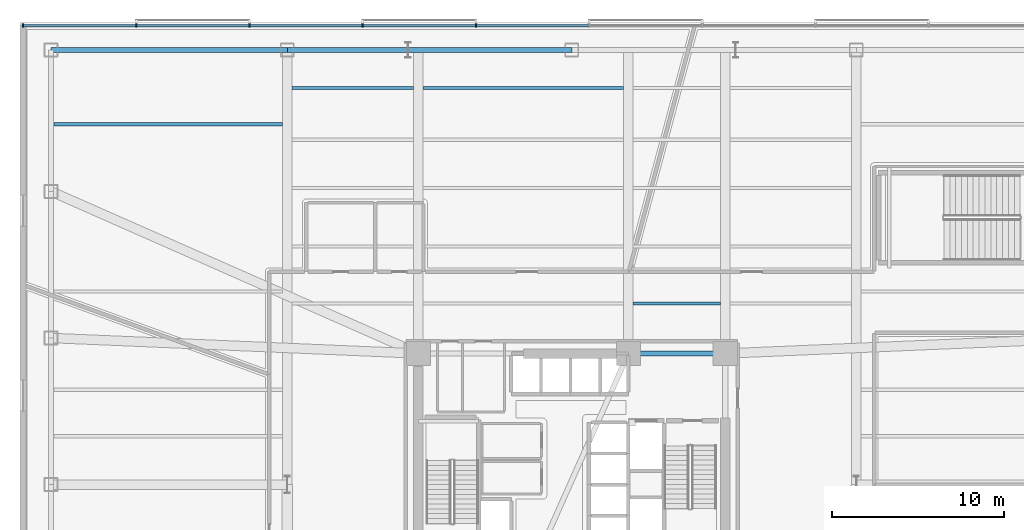
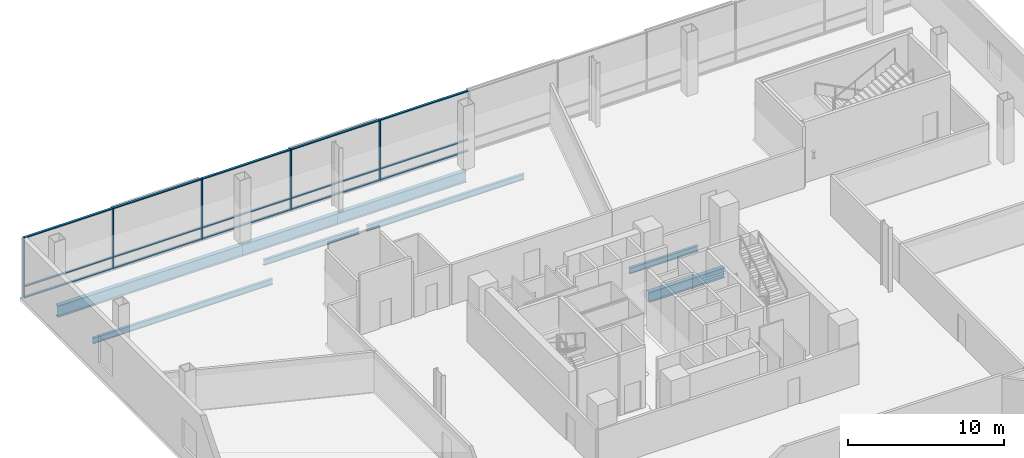
# One storey, part 6 of 24: 20 members, 8 beams, 1 element without a shape of its own.
"""IFC4 building model written with IfcOpenShell, lengths in metres."""

from ifc_helpers import new_model, si_unit, direction, frame, origin, origin_2d, place, context, subcontext, project, spatial, rectangle, i_section, extrude, material, layer, layer_set, material_profile, profile_set, type_object, element, aggregate, save


model = new_model("IFC4")

# Units and contexts
model_context = context("Model", 3, precision=1e-05, world=origin(), true_north=direction((0.0, 1.0)))
body_context = subcontext(model_context, "Body", "Model", "MODEL_VIEW")
ifc_project = project(units=[si_unit("LENGTHUNIT", "METRE"), si_unit("AREAUNIT", "SQUARE_METRE"), si_unit("VOLUMEUNIT", "CUBIC_METRE"), si_unit("PLANEANGLEUNIT", "RADIAN"), si_unit("MASSUNIT", "GRAM", prefix="KILO")], contexts=[model_context])

# Site, building, storey
site_placement = place(None, origin())
site = spatial("IfcSite", under=ifc_project, at=site_placement, CompositionType="ELEMENT")
building_placement = place(site_placement, origin())
building = spatial("IfcBuilding", under=site, at=building_placement, Name="Tharavind Bronze Gate", CompositionType="ELEMENT")
storey_placement = place(building_placement, frame((0.0, 0.0, 21.5)))
storey = spatial("IfcBuildingStorey", under=building, at=storey_placement, Name="L04", CompositionType="ELEMENT", Elevation=21.5)

# Curtain wall, members
ifc_material_1 = material(Name="Anodised Bronze Aluminium", Category="aluminium")
ifc_layer = layer(ifc_material_1, 0.219970703125)
ifc_layer_set = layer_set([ifc_layer], Name="Anodised Bronze Aluminium")
curtain_wall_type = type_object("IfcCurtainWallType", Name="UNITISED CURTAIN WALL PODIUM", PredefinedType="USERDEFINED", material=ifc_layer_set)
curtain_wall_placement = place(storey_placement, origin())
curtain_wall = element("IfcCurtainWall", 1, at=curtain_wall_placement, inside=storey, type_object=curtain_wall_type, Name="L04 unitised curtain wall podium CW-L04-S2", ObjectType="UNITISED CURTAIN WALL", PredefinedType="USERDEFINED")
member_type_1 = type_object("IfcMemberType", Name="CURTAIN WALL MULLION 80X220", PredefinedType="MULLION", material=ifc_material_1)
member_1_placement = place(storey_placement, frame((-5.56396484375, 26.6201171875, 0.0), z_axis=(0.0, 0.0, 1.0), x_axis=(-1.0, 0.0, 0.0)))
member_1 = element("IfcMember", 2, at=member_1_placement, type_object=member_type_1, Name="CW-L04-S2 mullion 7", PredefinedType="MULLION", context=body_context, shape_type="SweptSolid", body=[
    extrude(rectangle(XDim=0.080078125, YDim=0.219970703125, at=origin_2d()), origin(), (0.0, 0.0, 1.0), 4.739990234375),
])
member_2_placement = place(storey_placement, frame((-12.1279296875, 26.6201171875, 0.0), z_axis=(0.0, 0.0, 1.0), x_axis=(-1.0, 0.0, 0.0)))
member_2 = element("IfcMember", 3, at=member_2_placement, type_object=member_type_1, Name="CW-L04-S2 mullion 8", PredefinedType="MULLION", context=body_context, shape_type="SweptSolid", body=[
    extrude(rectangle(XDim=0.080078125, YDim=0.219970703125, at=origin_2d()), origin(), (0.0, 0.0, 1.0), 4.739990234375),
])
member_3_placement = place(storey_placement, frame((-18.69189453125, 26.6201171875, 0.0), z_axis=(0.0, 0.0, 1.0), x_axis=(-1.0, 0.0, 0.0)))
member_3 = element("IfcMember", 4, at=member_3_placement, type_object=member_type_1, Name="CW-L04-S2 mullion 9", PredefinedType="MULLION", context=body_context, shape_type="SweptSolid", body=[
    extrude(rectangle(XDim=0.080078125, YDim=0.219970703125, at=origin_2d()), origin(), (0.0, 0.0, 1.0), 4.739990234375),
])
member_4_placement = place(storey_placement, frame((-25.256103515625, 26.6201171875, 0.0), z_axis=(0.0, 0.0, 1.0), x_axis=(-1.0, 0.0, 0.0)))
member_4 = element("IfcMember", 5, at=member_4_placement, type_object=member_type_1, Name="CW-L04-S2 mullion 10", PredefinedType="MULLION", context=body_context, shape_type="SweptSolid", body=[
    extrude(rectangle(XDim=0.080078125, YDim=0.219970703125, at=origin_2d()), origin(), (0.0, 0.0, 1.0), 4.739990234375),
])
member_5_placement = place(storey_placement, frame((-31.820068359375, 26.6201171875, 0.0), z_axis=(0.0, 0.0, 1.0), x_axis=(-1.0, 0.0, 0.0)))
member_5 = element("IfcMember", 6, at=member_5_placement, type_object=member_type_1, Name="CW-L04-S2 mullion 11", PredefinedType="MULLION", context=body_context, shape_type="SweptSolid", body=[
    extrude(rectangle(XDim=0.080078125, YDim=0.219970703125, at=origin_2d()), origin(), (0.0, 0.0, 1.0), 4.739990234375),
])
member_type_2 = type_object("IfcMemberType", Name="CURTAIN WALL TRANSOM 80X160", PredefinedType="USERDEFINED", material=ifc_material_1)
member_6_placement = place(storey_placement, frame((-2.281982421875, 26.6201171875, 0.0), z_axis=(0.0, 0.0, 1.0), x_axis=(-1.0, 0.0, 0.0)))
member_6 = element("IfcMember", 7, at=member_6_placement, type_object=member_type_2, Name="CW-L04-S2 transom TB6", ObjectType="TRANSOM", PredefinedType="USERDEFINED", context=body_context, shape_type="SweptSolid", body=[
    extrude(rectangle(XDim=6.49609375, YDim=0.159912109375, at=origin_2d()), origin(), (0.0, 0.0, 1.0), 0.080078125),
])
member_7_placement = place(storey_placement, frame((-2.281982421875, 26.6201171875, 0.85986328125), z_axis=(0.0, 0.0, 1.0), x_axis=(-1.0, 0.0, 0.0)))
member_7 = element("IfcMember", 8, at=member_7_placement, type_object=member_type_2, Name="CW-L04-S2 transom TS6", ObjectType="TRANSOM", PredefinedType="USERDEFINED", context=body_context, shape_type="SweptSolid", body=[
    extrude(rectangle(XDim=6.49609375, YDim=0.159912109375, at=origin_2d()), origin(), (0.0, 0.0, 1.0), 0.080078125),
])
member_8_placement = place(storey_placement, frame((-2.281982421875, 26.6201171875, 4.659912109375), z_axis=(0.0, 0.0, 1.0), x_axis=(-1.0, 0.0, 0.0)))
member_8 = element("IfcMember", 9, at=member_8_placement, type_object=member_type_2, Name="CW-L04-S2 transom TT6", ObjectType="TRANSOM", PredefinedType="USERDEFINED", context=body_context, shape_type="SweptSolid", body=[
    extrude(rectangle(XDim=6.49609375, YDim=0.159912109375, at=origin_2d()), origin(), (0.0, 0.0, 1.0), 0.080078125),
])
member_9_placement = place(storey_placement, frame((-8.845947265625, 26.6201171875, 0.0), z_axis=(0.0, 0.0, 1.0), x_axis=(-1.0, 0.0, 0.0)))
member_9 = element("IfcMember", 10, at=member_9_placement, type_object=member_type_2, Name="CW-L04-S2 transom TB7", ObjectType="TRANSOM", PredefinedType="USERDEFINED", context=body_context, shape_type="SweptSolid", body=[
    extrude(rectangle(XDim=6.49609375, YDim=0.159912109375, at=origin_2d()), origin(), (0.0, 0.0, 1.0), 0.080078125),
])
member_10_placement = place(storey_placement, frame((-8.845947265625, 26.6201171875, 0.85986328125), z_axis=(0.0, 0.0, 1.0), x_axis=(-1.0, 0.0, 0.0)))
member_10 = element("IfcMember", 11, at=member_10_placement, type_object=member_type_2, Name="CW-L04-S2 transom TS7", ObjectType="TRANSOM", PredefinedType="USERDEFINED", context=body_context, shape_type="SweptSolid", body=[
    extrude(rectangle(XDim=6.49609375, YDim=0.159912109375, at=origin_2d()), origin(), (0.0, 0.0, 1.0), 0.080078125),
])
member_11_placement = place(storey_placement, frame((-8.845947265625, 26.6201171875, 4.659912109375), z_axis=(0.0, 0.0, 1.0), x_axis=(-1.0, 0.0, 0.0)))
member_11 = element("IfcMember", 12, at=member_11_placement, type_object=member_type_2, Name="CW-L04-S2 transom TT7", ObjectType="TRANSOM", PredefinedType="USERDEFINED", context=body_context, shape_type="SweptSolid", body=[
    extrude(rectangle(XDim=6.49609375, YDim=0.159912109375, at=origin_2d()), origin(), (0.0, 0.0, 1.0), 0.080078125),
])
member_12_placement = place(storey_placement, frame((-15.409912109375, 26.6201171875, 0.0), z_axis=(0.0, 0.0, 1.0), x_axis=(-1.0, 0.0, 0.0)))
member_12 = element("IfcMember", 13, at=member_12_placement, type_object=member_type_2, Name="CW-L04-S2 transom TB8", ObjectType="TRANSOM", PredefinedType="USERDEFINED", context=body_context, shape_type="SweptSolid", body=[
    extrude(rectangle(XDim=6.49609375, YDim=0.159912109375, at=origin_2d()), origin(), (0.0, 0.0, 1.0), 0.080078125),
])
member_13_placement = place(storey_placement, frame((-15.409912109375, 26.6201171875, 0.85986328125), z_axis=(0.0, 0.0, 1.0), x_axis=(-1.0, 0.0, 0.0)))
member_13 = element("IfcMember", 14, at=member_13_placement, type_object=member_type_2, Name="CW-L04-S2 transom TS8", ObjectType="TRANSOM", PredefinedType="USERDEFINED", context=body_context, shape_type="SweptSolid", body=[
    extrude(rectangle(XDim=6.49609375, YDim=0.159912109375, at=origin_2d()), origin(), (0.0, 0.0, 1.0), 0.080078125),
])
member_14_placement = place(storey_placement, frame((-15.409912109375, 26.6201171875, 4.659912109375), z_axis=(0.0, 0.0, 1.0), x_axis=(-1.0, 0.0, 0.0)))
member_14 = element("IfcMember", 15, at=member_14_placement, type_object=member_type_2, Name="CW-L04-S2 transom TT8", ObjectType="TRANSOM", PredefinedType="USERDEFINED", context=body_context, shape_type="SweptSolid", body=[
    extrude(rectangle(XDim=6.49609375, YDim=0.159912109375, at=origin_2d()), origin(), (0.0, 0.0, 1.0), 0.080078125),
])
member_15_placement = place(storey_placement, frame((-21.97412109375, 26.6201171875, 0.0), z_axis=(0.0, 0.0, 1.0), x_axis=(-1.0, 0.0, 0.0)))
member_15 = element("IfcMember", 16, at=member_15_placement, type_object=member_type_2, Name="CW-L04-S2 transom TB9", ObjectType="TRANSOM", PredefinedType="USERDEFINED", context=body_context, shape_type="SweptSolid", body=[
    extrude(rectangle(XDim=6.49609375, YDim=0.159912109375, at=origin_2d()), origin(), (0.0, 0.0, 1.0), 0.080078125),
])
member_16_placement = place(storey_placement, frame((-21.97412109375, 26.6201171875, 0.85986328125), z_axis=(0.0, 0.0, 1.0), x_axis=(-1.0, 0.0, 0.0)))
member_16 = element("IfcMember", 17, at=member_16_placement, type_object=member_type_2, Name="CW-L04-S2 transom TS9", ObjectType="TRANSOM", PredefinedType="USERDEFINED", context=body_context, shape_type="SweptSolid", body=[
    extrude(rectangle(XDim=6.49609375, YDim=0.159912109375, at=origin_2d()), origin(), (0.0, 0.0, 1.0), 0.080078125),
])
member_17_placement = place(storey_placement, frame((-21.97412109375, 26.6201171875, 4.659912109375), z_axis=(0.0, 0.0, 1.0), x_axis=(-1.0, 0.0, 0.0)))
member_17 = element("IfcMember", 18, at=member_17_placement, type_object=member_type_2, Name="CW-L04-S2 transom TT9", ObjectType="TRANSOM", PredefinedType="USERDEFINED", context=body_context, shape_type="SweptSolid", body=[
    extrude(rectangle(XDim=6.49609375, YDim=0.159912109375, at=origin_2d()), origin(), (0.0, 0.0, 1.0), 0.080078125),
])
member_18_placement = place(storey_placement, frame((-28.5380859375, 26.6201171875, 0.0), z_axis=(0.0, 0.0, 1.0), x_axis=(-1.0, 0.0, 0.0)))
member_18 = element("IfcMember", 19, at=member_18_placement, type_object=member_type_2, Name="CW-L04-S2 transom TB10", ObjectType="TRANSOM", PredefinedType="USERDEFINED", context=body_context, shape_type="SweptSolid", body=[
    extrude(rectangle(XDim=6.49609375, YDim=0.159912109375, at=origin_2d()), origin(), (0.0, 0.0, 1.0), 0.080078125),
])
member_19_placement = place(storey_placement, frame((-28.5380859375, 26.6201171875, 0.85986328125), z_axis=(0.0, 0.0, 1.0), x_axis=(-1.0, 0.0, 0.0)))
member_19 = element("IfcMember", 20, at=member_19_placement, type_object=member_type_2, Name="CW-L04-S2 transom TS10", ObjectType="TRANSOM", PredefinedType="USERDEFINED", context=body_context, shape_type="SweptSolid", body=[
    extrude(rectangle(XDim=6.49609375, YDim=0.159912109375, at=origin_2d()), origin(), (0.0, 0.0, 1.0), 0.080078125),
])
member_20_placement = place(storey_placement, frame((-28.5380859375, 26.6201171875, 4.659912109375), z_axis=(0.0, 0.0, 1.0), x_axis=(-1.0, 0.0, 0.0)))
member_20 = element("IfcMember", 21, at=member_20_placement, type_object=member_type_2, Name="CW-L04-S2 transom TT10", ObjectType="TRANSOM", PredefinedType="USERDEFINED", context=body_context, shape_type="SweptSolid", body=[
    extrude(rectangle(XDim=6.49609375, YDim=0.159912109375, at=origin_2d()), origin(), (0.0, 0.0, 1.0), 0.080078125),
])
aggregate(curtain_wall, [member_1, member_2, member_3, member_4, member_5, member_6, member_7, member_8, member_9, member_10, member_11, member_12, member_13, member_14, member_15, member_16, member_17, member_18, member_19, member_20])

# Beams
ifc_material_2 = material(Name="Steel S355", Category="steel")
ifc_material_profile_1 = material_profile(ifc_material_2, i_section(OverallWidth=0.300048828125, OverallDepth=0.800048828125, WebThickness=0.017578125, FlangeThickness=0.032958984375, at=origin_2d()), Name="HE800B")
ifc_profile_set_1 = profile_set([ifc_material_profile_1], Name="Steel S355")
beam_type_1 = type_object("IfcBeamType", Name="RING GIRDER HE800B", PredefinedType="USERDEFINED", material=ifc_profile_set_1)
beam_1_placement = place(storey_placement, frame((8.89990234375, 7.60009765625, -0.659912109375), z_axis=(-1.0, 0.0, 0.0), x_axis=(0.0, -1.0, 0.0)))
element("IfcBeam", 22, at=beam_1_placement, inside=storey, type_object=beam_type_1, Name="L04 ring girder he800b BM-L04-CR4", ObjectType="GIRDER", PredefinedType="USERDEFINED", context=body_context, shape_type="SweptSolid", body=[
    extrude(i_section(OverallWidth=0.300048828125, OverallDepth=0.800048828125, WebThickness=0.017578125, FlangeThickness=0.032958984375, at=origin_2d()), origin(), (0.0, 0.0, 1.0), 5.619873046875),
])
ifc_material_profile_2 = material_profile(ifc_material_2, i_section(OverallWidth=0.18994140625, OverallDepth=0.449951171875, WebThickness=0.009521484375, FlangeThickness=0.0146484375, at=origin_2d()), Name="IPE450")
ifc_profile_set_2 = profile_set([ifc_material_profile_2], Name="Steel S355")
beam_type_2 = type_object("IfcBeamType", Name="SECONDARY FLOOR JOIST IPE450", PredefinedType="JOIST", material=ifc_profile_set_2)
beam_2_placement = place(storey_placement, frame((3.556884765625, 10.5, -0.485107421875), z_axis=(1.0, 0.0, 0.0), x_axis=(0.0, 1.0, 0.0)))
element("IfcBeam", 23, at=beam_2_placement, inside=storey, type_object=beam_type_2, Name="L04 secondary floor joist ipe450 BM-L04-JSN1B", PredefinedType="JOIST", context=body_context, shape_type="SweptSolid", body=[
    extrude(i_section(OverallWidth=0.18994140625, OverallDepth=0.449951171875, WebThickness=0.009521484375, FlangeThickness=0.0146484375, at=origin_2d()), origin(), (0.0, 0.0, 1.0), 5.066162109375),
])
beam_3_placement = place(storey_placement, frame((-8.623046875, 23.0, -0.485107421875), z_axis=(1.0, 0.0, 0.0), x_axis=(0.0, 1.0, 0.0)))
element("IfcBeam", 24, at=beam_3_placement, inside=storey, type_object=beam_type_2, Name="L04 secondary floor joist ipe450 BM-L04-JSN5A", PredefinedType="JOIST", context=body_context, shape_type="SweptSolid", body=[
    extrude(i_section(OverallWidth=0.18994140625, OverallDepth=0.449951171875, WebThickness=0.009521484375, FlangeThickness=0.0146484375, at=origin_2d()), origin(), (0.0, 0.0, 1.0), 11.6259765625),
])
beam_4_placement = place(storey_placement, frame((-16.222900390625, 23.0, -0.485107421875), z_axis=(1.0, 0.0, 0.0), x_axis=(0.0, 1.0, 0.0)))
element("IfcBeam", 25, at=beam_4_placement, inside=storey, type_object=beam_type_2, Name="L04 secondary floor joist ipe450 BM-L04-JSN5W", PredefinedType="JOIST", context=body_context, shape_type="SweptSolid", body=[
    extrude(i_section(OverallWidth=0.18994140625, OverallDepth=0.449951171875, WebThickness=0.009521484375, FlangeThickness=0.0146484375, at=origin_2d()), origin(), (0.0, 0.0, 1.0), 7.0458984375),
])
beam_5_placement = place(storey_placement, frame((-30.0400390625, 20.89990234375, -0.485107421875), z_axis=(1.0, 0.0, 0.0), x_axis=(0.0, 1.0, 0.0)))
element("IfcBeam", 26, at=beam_5_placement, inside=storey, type_object=beam_type_2, Name="L04 secondary floor joist ipe450 BM-L04-JSWW9", PredefinedType="JOIST", context=body_context, shape_type="SweptSolid", body=[
    extrude(i_section(OverallWidth=0.18994140625, OverallDepth=0.449951171875, WebThickness=0.009521484375, FlangeThickness=0.0146484375, at=origin_2d()), origin(), (0.0, 0.0, 1.0), 13.262939453125),
])
ifc_material_profile_3 = material_profile(ifc_material_2, i_section(OverallWidth=0.300048828125, OverallDepth=0.89990234375, WebThickness=0.0185546875, FlangeThickness=0.034912109375, at=origin_2d()), Name="HE900B")
ifc_profile_set_3 = profile_set([ifc_material_profile_3], Name="Steel S355")
beam_type_3 = type_object("IfcBeamType", Name="SPANDREL RING BEAM HE900B", PredefinedType="SPANDREL", material=ifc_profile_set_3)
beam_6_placement = place(storey_placement, frame((-30.199951171875, 25.199951171875, -0.7099609375), z_axis=(1.0, 0.0, 0.0), x_axis=(0.0, 1.0, 0.0)))
element("IfcBeam", 27, at=beam_6_placement, inside=storey, type_object=beam_type_3, Name="L04 spandrel ring beam he900b BM-L04-PN1", PredefinedType="SPANDREL", context=body_context, shape_type="SweptSolid", body=[
    extrude(i_section(OverallWidth=0.300048828125, OverallDepth=0.89990234375, WebThickness=0.0185546875, FlangeThickness=0.034912109375, at=origin_2d()), origin(), (0.0, 0.0, 1.0), 13.699951171875),
])
beam_7_placement = place(storey_placement, frame((-16.5, 25.199951171875, -0.7099609375), z_axis=(1.0, 0.0, 0.0), x_axis=(0.0, 1.0, 0.0)))
element("IfcBeam", 28, at=beam_7_placement, inside=storey, type_object=beam_type_3, Name="L04 spandrel ring beam he900b BM-L04-PN2", PredefinedType="SPANDREL", context=body_context, shape_type="SweptSolid", body=[
    extrude(i_section(OverallWidth=0.300048828125, OverallDepth=0.89990234375, WebThickness=0.0185546875, FlangeThickness=0.034912109375, at=origin_2d()), origin(), (0.0, 0.0, 1.0), 7.0),
])
beam_8_placement = place(storey_placement, frame((-9.5, 25.199951171875, -0.7099609375), z_axis=(1.0, 0.0, 0.0), x_axis=(0.0, 1.0, 0.0)))
element("IfcBeam", 29, at=beam_8_placement, inside=storey, type_object=beam_type_3, Name="L04 spandrel ring beam he900b BM-L04-PN3", PredefinedType="SPANDREL", context=body_context, shape_type="SweptSolid", body=[
    extrude(i_section(OverallWidth=0.300048828125, OverallDepth=0.89990234375, WebThickness=0.0185546875, FlangeThickness=0.034912109375, at=origin_2d()), origin(), (0.0, 0.0, 1.0), 9.5),
])

save(model, "model.ifc")
